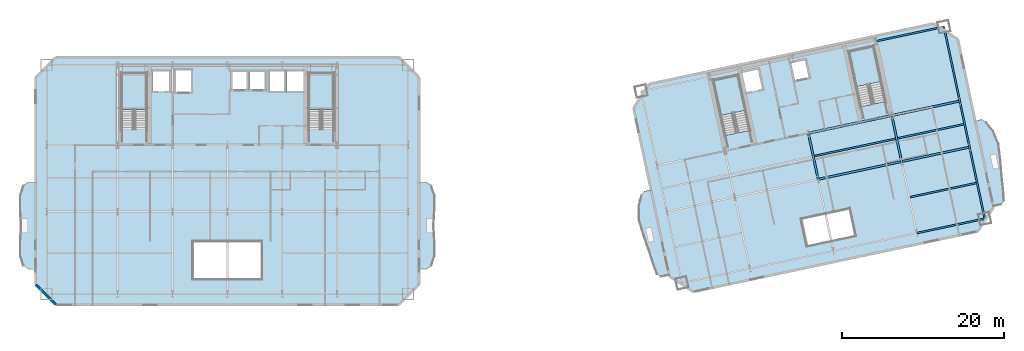
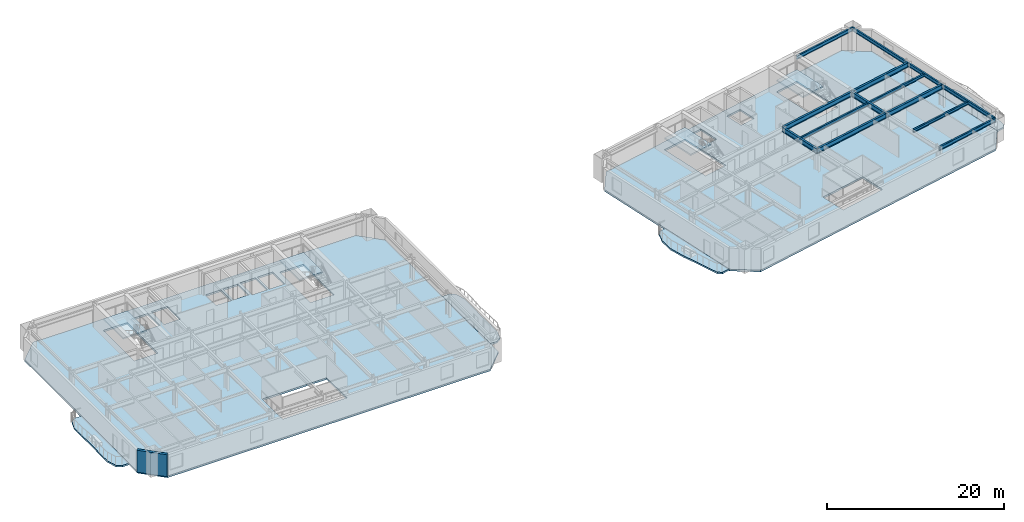
# One storey, part 4 of 13: 14 beams, 10 slabs, 1 wall, 4 elements without a shape of their own.
"""IFC4 building model written with IfcOpenShell, lengths in metres."""

from ifc_helpers import new_model, si_unit, direction, frame, frame_2d, origin, origin_2d, place, context, subcontext, project, spatial, polyline, rectangle, i_section, outline, extrude, material, layer, layer_set, material_profile, profile_set, type_object, element, aggregate, save


model = new_model("IFC4")

# Units and contexts
model_context = context("Model", 3, precision=1e-05, world=origin(), true_north=direction((0.0, 1.0)))
body_context = subcontext(model_context, "Body", "Model", "MODEL_VIEW")
ifc_project = project(units=[si_unit("LENGTHUNIT", "METRE"), si_unit("AREAUNIT", "SQUARE_METRE"), si_unit("VOLUMEUNIT", "CUBIC_METRE"), si_unit("PLANEANGLEUNIT", "RADIAN"), si_unit("MASSUNIT", "GRAM", prefix="KILO")], contexts=[model_context])

# Site, building, storey
site_placement = place(None, origin())
site = spatial("IfcSite", under=ifc_project, at=site_placement, CompositionType="ELEMENT")
building_placement = place(site_placement, origin())
building = spatial("IfcBuilding", under=site, at=building_placement, Name="Haevon Station Towers", CompositionType="ELEMENT")
storey_placement = place(building_placement, frame((0.0, 0.0, 99.89990234375)))
storey = spatial("IfcBuildingStorey", under=building, at=storey_placement, Name="L26", CompositionType="ELEMENT", Elevation=99.89990234375)

# Beams
ifc_material_1 = material(Name="Steel S355", Category="steel")
ifc_material_profile_1 = material_profile(ifc_material_1, i_section(OverallWidth=0.25, OverallDepth=0.64990234375, WebThickness=0.012939453125, FlangeThickness=0.02197265625, at=origin_2d()), Name="H-650x250x13x22")
ifc_profile_set_1 = profile_set([ifc_material_profile_1], Name="Steel S355")
beam_type_1 = type_object("IfcBeamType", Name="BM-G650", PredefinedType="BEAM", material=ifc_profile_set_1)
beam_1_placement = place(storey_placement, frame((110.228759765625, 33.9521484375, 2.72509765625), z_axis=(0.978146794194, 0.207915485254, 0.0), x_axis=(-0.207915485254, 0.978146794194, 0.0)))
element("IfcBeam", 1, at=beam_1_placement, inside=storey, type_object=beam_type_1, Name="BM-T2U-L26-02-03", PredefinedType="BEAM", context=body_context, shape_type="SweptSolid", body=[
    extrude(i_section(OverallWidth=0.25, OverallDepth=0.64990234375, WebThickness=0.012939453125, FlangeThickness=0.02197265625, at=origin_2d()), origin(), (0.0, 0.0, 1.0), 10.5),
])
beam_2_placement = place(storey_placement, frame((120.499267578125, 36.13525390625, 2.72509765625), z_axis=(0.978149560998, 0.207902468287, 0.0), x_axis=(-0.207902468287, 0.978149560998, 0.0)))
element("IfcBeam", 2, at=beam_2_placement, inside=storey, type_object=beam_type_1, Name="BM-T2U-L26-02-04", PredefinedType="BEAM", context=body_context, shape_type="SweptSolid", body=[
    extrude(i_section(OverallWidth=0.25, OverallDepth=0.64990234375, WebThickness=0.012939453125, FlangeThickness=0.02197265625, at=origin_2d()), origin(), (0.0, 0.0, 1.0), 8.550048828125),
])
beam_3_placement = place(storey_placement, frame((109.02294921875, 39.62548828125, 2.72509765625), z_axis=(0.978146794194, 0.207915485254, 0.0), x_axis=(-0.207915485254, 0.978146794194, 0.0)))
element("IfcBeam", 3, at=beam_3_placement, inside=storey, type_object=beam_type_1, Name="BM-T2U-L26-03-03", PredefinedType="BEAM", context=body_context, shape_type="SweptSolid", body=[
    extrude(i_section(OverallWidth=0.25, OverallDepth=0.64990234375, WebThickness=0.012939453125, FlangeThickness=0.02197265625, at=origin_2d()), origin(), (0.0, 0.0, 1.0), 10.5),
])
beam_4_placement = place(storey_placement, frame((119.29345703125, 41.80859375, 2.72509765625), z_axis=(0.978148326739, 0.2079082752, 0.0), x_axis=(-0.2079082752, 0.978148326739, 0.0)))
element("IfcBeam", 4, at=beam_4_placement, inside=storey, type_object=beam_type_1, Name="BM-T2U-L26-03-04", PredefinedType="BEAM", context=body_context, shape_type="SweptSolid", body=[
    extrude(i_section(OverallWidth=0.25, OverallDepth=0.64990234375, WebThickness=0.012939453125, FlangeThickness=0.02197265625, at=origin_2d()), origin(), (0.0, 0.0, 1.0), 8.5498046875),
])
for number, where, z_axis, x_axis, name in (
    (5, (110.228759765625, 33.9521484375, 2.72509765625), (-0.207896009217, 0.97815093383, 0.0), (-0.97815093383, -0.207896009217, 0.0), "BM-T2V-L26-03-02"),
    (6, (120.499267578125, 36.13525390625, 2.72509765625), (-0.207896009217, 0.97815093383, 0.0), (-0.97815093383, -0.207896009217, 0.0), "BM-T2V-L26-04-02"),
):
    element("IfcBeam", number, at=place(storey_placement, frame(where, z_axis=z_axis, x_axis=x_axis)), inside=storey, type_object=beam_type_1, Name=name, PredefinedType="BEAM", context=body_context, shape_type="SweptSolid", body=[
        extrude(i_section(OverallWidth=0.25, OverallDepth=0.64990234375, WebThickness=0.012939453125, FlangeThickness=0.02197265625, at=origin_2d()), origin(), (0.0, 0.0, 1.0), 5.800048828125),
    ])
ifc_material_profile_2 = material_profile(ifc_material_1, i_section(OverallWidth=0.199951171875, OverallDepth=0.39990234375, WebThickness=0.008056640625, FlangeThickness=0.012939453125, at=origin_2d()), Name="H-400x200x8x13")
ifc_profile_set_2 = profile_set([ifc_material_profile_2], Name="Steel S355")
beam_type_2 = type_object("IfcBeamType", Name="BM-J400", PredefinedType="JOIST", material=ifc_profile_set_2)
beam_5_placement = place(storey_placement, frame((121.54248046875, 31.756591796875, 2.85009765625), z_axis=(0.978146782292, 0.207915541247, 0.0), x_axis=(-0.207915541247, 0.978146782292, 0.0)))
element("IfcBeam", 7, at=beam_5_placement, inside=storey, type_object=beam_type_2, Name="BM-T2J-L26-01-04", PredefinedType="JOIST", context=body_context, shape_type="SweptSolid", body=[
    extrude(i_section(OverallWidth=0.199951171875, OverallDepth=0.39990234375, WebThickness=0.008056640625, FlangeThickness=0.012939453125, at=origin_2d()), origin(), (0.0, 0.0, 1.0), 8.330078125),
])
beam_6_placement = place(storey_placement, frame((109.7333984375, 36.811767578125, 2.85009765625), z_axis=(0.978150339653, 0.207898804801, 0.0), x_axis=(-0.207898804801, 0.978150339653, 0.0)))
element("IfcBeam", 8, at=beam_6_placement, inside=storey, type_object=beam_type_2, Name="BM-T2J-L26-02-03", PredefinedType="JOIST", context=body_context, shape_type="SweptSolid", body=[
    extrude(i_section(OverallWidth=0.199951171875, OverallDepth=0.39990234375, WebThickness=0.008056640625, FlangeThickness=0.012939453125, at=origin_2d()), origin(), (0.0, 0.0, 1.0), 10.280029296875),
])
beam_7_placement = place(storey_placement, frame((120.00390625, 38.994873046875, 2.85009765625), z_axis=(0.978146782292, 0.207915541247, 0.0), x_axis=(-0.207915541247, 0.978146782292, 0.0)))
element("IfcBeam", 9, at=beam_7_placement, inside=storey, type_object=beam_type_2, Name="BM-T2J-L26-02-04", PredefinedType="JOIST", context=body_context, shape_type="SweptSolid", body=[
    extrude(i_section(OverallWidth=0.199951171875, OverallDepth=0.39990234375, WebThickness=0.008056640625, FlangeThickness=0.012939453125, at=origin_2d()), origin(), (0.0, 0.0, 1.0), 8.330078125),
])
ifc_material_profile_3 = material_profile(ifc_material_1, i_section(OverallWidth=0.199951171875, OverallDepth=0.5, WebThickness=0.010009765625, FlangeThickness=0.01611328125, at=origin_2d()), Name="H-500x200x10x16")
ifc_profile_set_3 = profile_set([ifc_material_profile_3], Name="Steel S355")
beam_type_3 = type_object("IfcBeamType", Name="BM-SP500", PredefinedType="SPANDREL", material=ifc_profile_set_3)
beam_8_placement = place(storey_placement, frame((122.37060546875, 27.33203125, 2.800048828125), z_axis=(0.978148326739, 0.2079082752, 0.0), x_axis=(-0.2079082752, 0.978148326739, 0.0)))
element("IfcBeam", 10, at=beam_8_placement, inside=storey, type_object=beam_type_3, Name="BM-T2U-L26-01-04", PredefinedType="SPANDREL", context=body_context, shape_type="SweptSolid", body=[
    extrude(i_section(OverallWidth=0.199951171875, OverallDepth=0.5, WebThickness=0.010009765625, FlangeThickness=0.01611328125, at=origin_2d()), origin(), (0.0, 0.0, 1.0), 8.5498046875),
])
beam_9_placement = place(storey_placement, frame((117.349365234375, 50.954345703125, 2.800048828125), z_axis=(0.978149560998, 0.207902468287, 0.0), x_axis=(-0.207902468287, 0.978149560998, 0.0)))
element("IfcBeam", 11, at=beam_9_placement, inside=storey, type_object=beam_type_3, Name="BM-T2U-L26-04-04", PredefinedType="SPANDREL", context=body_context, shape_type="SweptSolid", body=[
    extrude(i_section(OverallWidth=0.199951171875, OverallDepth=0.5, WebThickness=0.010009765625, FlangeThickness=0.01611328125, at=origin_2d()), origin(), (0.0, 0.0, 1.0), 8.550048828125),
])
beam_10_placement = place(storey_placement, frame((130.733642578125, 29.109619140625, 2.800048828125), z_axis=(-0.20790223038, 0.978149611564, 0.0), x_axis=(-0.978149611564, -0.20790223038, 0.0)))
element("IfcBeam", 12, at=beam_10_placement, inside=storey, type_object=beam_type_3, Name="BM-T2V-L26-05-01", PredefinedType="SPANDREL", context=body_context, shape_type="SweptSolid", body=[
    extrude(i_section(OverallWidth=0.199951171875, OverallDepth=0.5, WebThickness=0.010009765625, FlangeThickness=0.01611328125, at=origin_2d()), origin(), (0.0, 0.0, 1.0), 8.999755859375),
])
beam_11_placement = place(storey_placement, frame((128.862548828125, 37.912841796875, 2.800048828125), z_axis=(-0.207936282142, 0.978142373363, 0.0), x_axis=(-0.978142373363, -0.207936282142, 0.0)))
element("IfcBeam", 13, at=beam_11_placement, inside=storey, type_object=beam_type_3, Name="BM-T2V-L26-05-02", PredefinedType="SPANDREL", context=body_context, shape_type="SweptSolid", body=[
    extrude(i_section(OverallWidth=0.199951171875, OverallDepth=0.5, WebThickness=0.010009765625, FlangeThickness=0.01611328125, at=origin_2d()), origin(), (0.0, 0.0, 1.0), 5.800048828125),
])
beam_12_placement = place(storey_placement, frame((127.656494140625, 43.586181640625, 2.800048828125), z_axis=(-0.207897167074, 0.978150687738, 0.0), x_axis=(-0.978150687738, -0.207897167074, 0.0)))
element("IfcBeam", 14, at=beam_12_placement, inside=storey, type_object=beam_type_3, Name="BM-T2V-L26-05-03", PredefinedType="SPANDREL", context=body_context, shape_type="SweptSolid", body=[
    extrude(i_section(OverallWidth=0.199951171875, OverallDepth=0.5, WebThickness=0.010009765625, FlangeThickness=0.01611328125, at=origin_2d()), origin(), (0.0, 0.0, 1.0), 9.35009765625),
])

# Slabs
ifc_material_2 = material(Name="Concrete C40/50", Category="concrete")
ifc_layer_1 = layer(ifc_material_2, 0.219970703125)
ifc_layer_set_1 = layer_set([ifc_layer_1], Name="Concrete C40/50")
slab_type_1 = type_object("IfcSlabType", Name="SL-BALC220", PredefinedType="FLOOR", material=ifc_layer_set_1)
slab_1_placement = place(storey_placement, frame((0.0, 0.0, -0.219970703125)))
element("IfcSlab", 15, at=slab_1_placement, inside=storey, type_object=slab_type_1, Name="Tower 1 L26 West SCALLOPED BALCONY", PredefinedType="FLOOR", context=body_context, shape_type="SweptSolid", body=[
    extrude(outline(polyline([(13.89501953125, 33.64990234375), (13.012939453125, 33.64990234375), (12.396484375, 33.239013671875), (12.002685546875, 32.068359375), (11.98046875, 30.31640625), (12.048828125, 28.25), (11.98046875, 26.18359375), (12.002685546875, 24.431640625), (12.396484375, 23.260986328125), (13.012939453125, 22.85009765625), (13.89501953125, 22.85009765625), (13.89501953125, 33.64990234375)])), origin(), (0.0, 0.0, 1.0), 0.219970703125),
])
slab_2_placement = place(storey_placement, frame((0.0, 0.0, -0.219970703125)))
element("IfcSlab", 16, at=slab_2_placement, inside=storey, type_object=slab_type_1, Name="Tower 1 L26 East SCALLOPED BALCONY", PredefinedType="FLOOR", context=body_context, shape_type="SweptSolid", body=[
    extrude(outline(polyline([(61.10498046875, 22.85009765625), (61.987060546875, 22.85009765625), (62.603515625, 23.260986328125), (62.997314453125, 24.431640625), (63.01953125, 26.18359375), (62.951171875, 28.25), (63.01953125, 30.31640625), (62.997314453125, 32.068359375), (62.603515625, 33.239013671875), (61.987060546875, 33.64990234375), (61.10498046875, 33.64990234375), (61.10498046875, 22.85009765625)])), origin(), (0.0, 0.0, 1.0), 0.219970703125),
])
slab_3_placement = place(storey_placement, frame((0.0, 0.0, -0.219970703125)))
element("IfcSlab", 17, at=slab_3_placement, inside=storey, type_object=slab_type_1, Name="Tower 2 L26 West SCALLOPED BALCONY", PredefinedType="FLOOR", context=body_context, shape_type="SweptSolid", body=[
    extrude(outline(polyline([(89.640869140625, 32.668701171875), (88.809326171875, 32.491943359375), (88.468505859375, 31.999267578125), (88.11865234375, 30.728271484375), (88.151123046875, 28.944091796875), (88.70947265625, 26.9501953125), (89.448974609375, 24.99462890625), (89.997802734375, 23.3203125), (90.421142578125, 22.213623046875), (90.919189453125, 21.899169921875), (91.88623046875, 22.104736328125), (89.640869140625, 32.668701171875)])), origin(), (0.0, 0.0, 1.0), 0.219970703125),
])
slab_4_placement = place(storey_placement, frame((0.0, 0.0, -0.219970703125)))
element("IfcSlab", 18, at=slab_4_placement, inside=storey, type_object=slab_type_1, Name="Tower 2 L26 East SCALLOPED BALCONY", PredefinedType="FLOOR", context=body_context, shape_type="SweptSolid", body=[
    extrude(outline(polyline([(131.804443359375, 30.589599609375), (132.771484375, 30.795166015625), (133.0986328125, 31.284912109375), (133.03515625, 32.468017578125), (132.85546875, 34.220947265625), (132.73583984375, 36.30810546875), (132.4345703125, 38.35693359375), (131.73876953125, 40.0), (130.902099609375, 41.018798828125), (130.390380859375, 41.330322265625), (129.558837890625, 41.153564453125), (131.804443359375, 30.589599609375)])), origin(), (0.0, 0.0, 1.0), 0.219970703125),
])

# Stair, slab
stair_type = type_object("IfcStairType", Name="STR-DL1450", PredefinedType="USERDEFINED", material=ifc_material_2)
stair_1_placement = place(storey_placement, origin())
stair_1 = element("IfcStair", 19, at=stair_1_placement, inside=storey, type_object=stair_type, Name="L26 Escape Stair ST1", ObjectType="TWO_RETURN_STAIR", PredefinedType="USERDEFINED")
ifc_layer_2 = layer(ifc_material_2, 0.199951171875)
ifc_layer_set_2 = layer_set([ifc_layer_2], Name="Concrete C40/50")
slab_type_2 = type_object("IfcSlabType", Name="SL-LND200", PredefinedType="LANDING", material=ifc_layer_set_2)
slab_5_placement = place(storey_placement, frame((0.0, 0.0, 1.4501953125)))
slab_5 = element("IfcSlab", 20, at=slab_5_placement, type_object=slab_type_2, Name="L26 ST1 Half Landing 1", PredefinedType="LANDING", context=body_context, shape_type="SweptSolid", body=[
    extrude(outline(polyline([(27.580078125, 42.56396484375), (27.580078125, 47.0), (24.47998046875, 47.0), (24.47998046875, 42.56396484375), (27.580078125, 42.56396484375)])), origin(), (0.0, 0.0, 1.0), 0.199951171875),
])
aggregate(stair_1, [slab_5])

stair_2_placement = place(storey_placement, origin())
stair_2 = element("IfcStair", 21, at=stair_2_placement, inside=storey, type_object=stair_type, Name="L26 Escape Stair ST2", ObjectType="TWO_RETURN_STAIR", PredefinedType="USERDEFINED")
slab_6_placement = place(storey_placement, frame((0.0, 0.0, 1.4501953125)))
slab_6 = element("IfcSlab", 22, at=slab_6_placement, type_object=slab_type_2, Name="L26 ST2 Half Landing 1", PredefinedType="LANDING", context=body_context, shape_type="SweptSolid", body=[
    extrude(outline(polyline([(50.6201171875, 42.56396484375), (50.6201171875, 47.0), (47.52001953125, 47.0), (47.52001953125, 42.56396484375), (50.6201171875, 42.56396484375)])), origin(), (0.0, 0.0, 1.0), 0.199951171875),
])
aggregate(stair_2, [slab_6])

stair_3_placement = place(storey_placement, origin())
stair_3 = element("IfcStair", 23, at=stair_3_placement, inside=storey, type_object=stair_type, Name="L26 Escape Stair ST3", ObjectType="TWO_RETURN_STAIR", PredefinedType="USERDEFINED")
slab_7_placement = place(storey_placement, frame((0.0, 0.0, 1.4501953125)))
slab_7 = element("IfcSlab", 24, at=slab_7_placement, type_object=slab_type_2, Name="L26 ST3 Half Landing 1", PredefinedType="LANDING", context=body_context, shape_type="SweptSolid", body=[
    extrude(outline(polyline([(101.2880859375, 42.44287109375), (100.36572265625, 46.781982421875), (97.33349609375, 46.137451171875), (98.255859375, 41.79833984375), (101.2880859375, 42.44287109375)])), origin(), (0.0, 0.0, 1.0), 0.199951171875),
])
aggregate(stair_3, [slab_7])

stair_4_placement = place(storey_placement, origin())
stair_4 = element("IfcStair", 25, at=stair_4_placement, inside=storey, type_object=stair_type, Name="L26 Escape Stair ST4", ObjectType="TWO_RETURN_STAIR", PredefinedType="USERDEFINED")
slab_8_placement = place(storey_placement, frame((0.0, 0.0, 1.4501953125)))
slab_8 = element("IfcSlab", 26, at=slab_8_placement, type_object=slab_type_2, Name="L26 ST4 Half Landing 1", PredefinedType="LANDING", context=body_context, shape_type="SweptSolid", body=[
    extrude(outline(polyline([(117.975341796875, 45.989990234375), (117.052978515625, 50.328857421875), (114.020751953125, 49.684326171875), (114.943115234375, 45.345458984375), (117.975341796875, 45.989990234375)])), origin(), (0.0, 0.0, 1.0), 0.199951171875),
])
aggregate(stair_4, [slab_8])

# Slabs
ifc_layer_3 = layer(ifc_material_2, 0.25)
ifc_layer_set_3 = layer_set([ifc_layer_3], Name="Concrete C40/50")
slab_type_3 = type_object("IfcSlabType", Name="SL-TW250", PredefinedType="FLOOR", material=ifc_layer_set_3)
slab_9_placement = place(storey_placement, frame((0.0, 0.0, -0.25)))
element("IfcSlab", 27, at=slab_9_placement, inside=storey, type_object=slab_type_3, Name="SL-T1-L26", PredefinedType="FLOOR", context=body_context, shape_type="SweptSolid", body=[
    extrude(outline(polyline([(16.39990234375, 18.5), (58.60009765625, 18.5), (61.10009765625, 21.0), (61.10009765625, 46.5), (58.60009765625, 49.0), (16.39990234375, 49.0), (13.89990234375, 46.5), (13.89990234375, 21.0), (16.39990234375, 18.5)]), holes=[polyline([(27.580078125, 40.055908203125), (27.580078125, 47.0), (24.47998046875, 47.0), (24.47998046875, 40.055908203125), (27.580078125, 40.055908203125)]), polyline([(50.6201171875, 40.055908203125), (50.6201171875, 47.0), (47.52001953125, 47.0), (47.52001953125, 40.055908203125), (50.6201171875, 40.055908203125)]), polyline([(28.300048828125, 44.699951171875), (30.5, 44.699951171875), (30.5, 47.39990234375), (28.300048828125, 47.39990234375), (28.300048828125, 44.699951171875)]), polyline([(31.050048828125, 44.60009765625), (33.14990234375, 44.60009765625), (33.14990234375, 47.5), (31.050048828125, 47.5), (31.050048828125, 44.60009765625)]), polyline([(38.0, 44.89990234375), (40.0, 44.89990234375), (40.0, 47.300048828125), (38.0, 47.300048828125), (38.0, 44.89990234375)]), polyline([(40.25, 44.89990234375), (42.25, 44.89990234375), (42.25, 47.300048828125), (40.25, 47.300048828125), (40.25, 44.89990234375)]), polyline([(42.60009765625, 44.699951171875), (44.60009765625, 44.699951171875), (44.60009765625, 47.39990234375), (42.60009765625, 47.39990234375), (42.60009765625, 44.699951171875)]), polyline([(44.85009765625, 44.699951171875), (46.85009765625, 44.699951171875), (46.85009765625, 47.39990234375), (44.85009765625, 47.39990234375), (44.85009765625, 44.699951171875)]), polyline([(33.300048828125, 21.699951171875), (41.699951171875, 21.699951171875), (41.699951171875, 26.300048828125), (33.300048828125, 26.300048828125), (33.300048828125, 21.699951171875)])]), origin(), (0.0, 0.0, 1.0), 0.25),
])
slab_10_placement = place(storey_placement, frame((0.0, 0.0, -0.25)))
element("IfcSlab", 28, at=slab_10_placement, inside=storey, type_object=slab_type_3, Name="SL-T2-L26", PredefinedType="FLOOR", context=body_context, shape_type="SweptSolid", body=[
    extrude(outline(polyline([(94.871826171875, 20.106689453125), (129.889404296875, 27.550048828125), (131.815185546875, 30.51513671875), (127.417724609375, 51.202880859375), (124.45263671875, 53.128662109375), (89.43505859375, 45.685302734375), (87.50927734375, 42.72021484375), (91.90673828125, 22.032470703125), (94.871826171875, 20.106689453125)]), holes=[polyline([(101.8095703125, 39.98974609375), (100.36572265625, 46.781982421875), (97.33349609375, 46.137451171875), (98.77734375, 39.34521484375), (101.8095703125, 39.98974609375)]), polyline([(118.496826171875, 43.53662109375), (117.052978515625, 50.328857421875), (114.020751953125, 49.684326171875), (115.464599609375, 42.89208984375), (118.496826171875, 43.53662109375)]), polyline([(101.43212890625, 44.554931640625), (103.486328125, 44.99169921875), (102.9248046875, 47.632568359375), (100.870849609375, 47.196044921875), (101.43212890625, 44.554931640625)]), polyline([(107.259521484375, 45.998046875), (109.2158203125, 46.413818359375), (108.716796875, 48.761474609375), (106.760498046875, 48.345703125), (107.259521484375, 45.998046875)]), polyline([(108.90576171875, 25.747802734375), (114.774658203125, 26.995361328125), (114.067626953125, 30.321044921875), (108.19873046875, 29.073486328125), (108.90576171875, 25.747802734375)])]), origin(), (0.0, 0.0, 1.0), 0.25),
])

# Wall
ifc_material_3 = material(Name="Precast concrete C45/55", Category="concrete")
ifc_layer_4 = layer(ifc_material_3, 0.320068359375)
ifc_layer_set_4 = layer_set([ifc_layer_4], Name="Precast concrete C45/55")
wall_type = type_object("IfcWallType", Name="WL-EXT-PIER320", PredefinedType="SOLIDWALL", material=ifc_layer_set_4)
wall_placement = place(storey_placement, frame((16.39990234375, 18.5, 0.0), z_axis=(0.0, 0.0, 1.0), x_axis=(-0.707106781187, 0.707106781187, 0.0)))
element("IfcWall", 29, at=wall_placement, inside=storey, type_object=wall_type, Name="WL-T1-L26-SWC", PredefinedType="SOLIDWALL", context=body_context, shape_type="SweptSolid", body=[
    extrude(rectangle(XDim=3.53564453125, YDim=0.320068359375, at=frame_2d((1.767822265625, 0.0))), origin(), (0.0, 0.0, 1.0), 3.030029296875),
])

save(model, "model.ifc")
